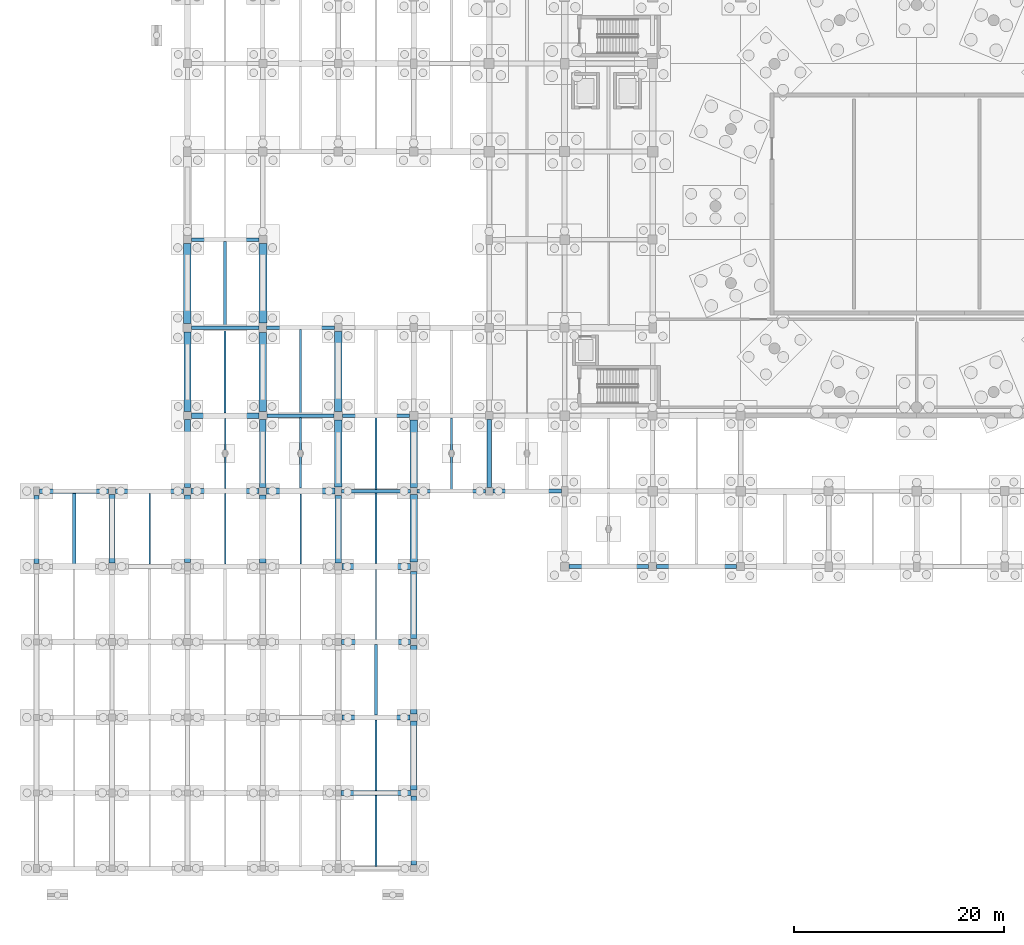
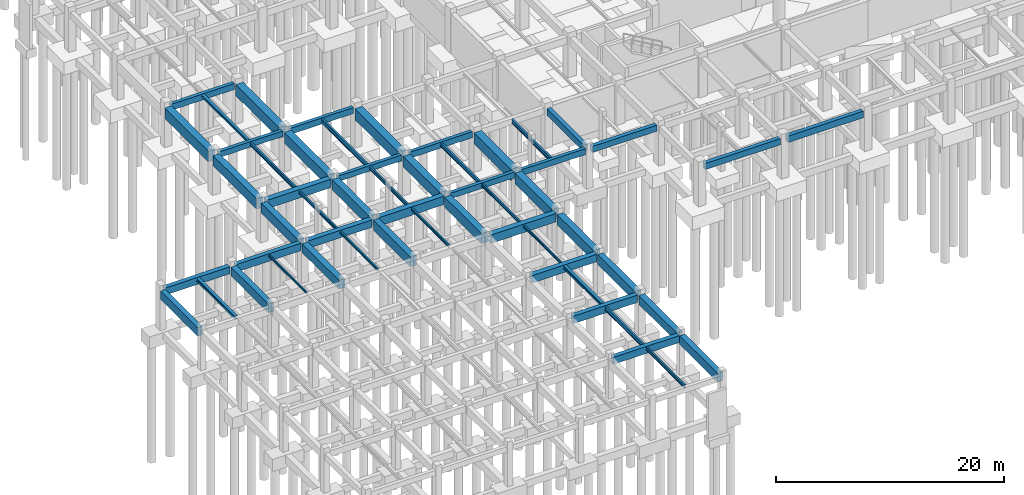
# One storey, part 19 of 44: 55 beams.
"""IFC4 building model written with IfcOpenShell, lengths in metres."""

import ifcopenshell
import ifcopenshell.guid

model = None  # the IFC model being written
_history = None  # IfcOwnerHistory: only IFC2X3 demands one
_inside = {}  # id of a spatial element -> (the spatial element, [elements in it])
_under = {}  # id of a project, library or spatial element -> (it, [spatial elements below it])
_declared = {}  # id of a project -> (the project, [libraries it declares])
_typed = {}  # id of a type object -> (the type object, [elements of that type])
_made_of = {}  # id of a material, layer set ... -> (it, [elements and type objects made of it])


def new_model(schema):
    """Start an empty IFC model of exactly this schema.

    Asked for "IFC4X3", IfcOpenShell would pick the latest addendum, in which some entities
    have other attributes; the version numbers below select the first issue.
    IFC2X3 requires an IfcOwnerHistory on every rooted entity: one is made here for all.
    """
    global model, _history
    if schema == "IFC4X3":
        model = ifcopenshell.file(schema_version=(4, 3, 0, 0))
    else:
        model = ifcopenshell.file(schema=schema)
    _inside.clear()
    _under.clear()
    _declared.clear()
    _typed.clear()
    _made_of.clear()
    _history = None
    if model.schema == "IFC2X3":
        org = make("IfcOrganization", Name="unknown")
        user = make(
            "IfcPersonAndOrganization",
            ThePerson=make("IfcPerson", FamilyName="unknown"),
            TheOrganization=org,
        )
        app = make(
            "IfcApplication",
            ApplicationDeveloper=org,
            Version="unknown",
            ApplicationFullName="unknown",
            ApplicationIdentifier="unknown",
        )
        _history = make(
            "IfcOwnerHistory",
            OwningUser=user,
            OwningApplication=app,
            ChangeAction="ADDED",
            CreationDate=0,
        )
    return model


def make(cls, **values):
    """One entity of the class cls with the attributes given. An attribute that is None is left unset."""
    return model.create_entity(
        cls, **{name: value for name, value in values.items() if value is not None}
    )


def rooted(cls, **values):
    """An entity with a GlobalId (a new one), such as an element, a storey or a relation."""
    return make(cls, GlobalId=ifcopenshell.guid.new(), OwnerHistory=_history, **values)


def si_unit(unit_type, name, prefix=None):
    """IfcSIUnit, for example si_unit("LENGTHUNIT", "METRE", prefix="MILLI")."""
    return make("IfcSIUnit", UnitType=unit_type, Prefix=prefix, Name=name)


def assignment(units):
    """IfcUnitAssignment: the units of a project."""
    return None if units is None else make("IfcUnitAssignment", Units=units)


def point(xyz):
    """IfcCartesianPoint."""
    return None if xyz is None else make("IfcCartesianPoint", Coordinates=xyz)


def direction(xyz):
    """IfcDirection."""
    return None if xyz is None else make("IfcDirection", DirectionRatios=xyz)


def frame(location, z_axis=None, x_axis=None):
    """IfcAxis2Placement3D, a coordinate frame: its origin and axes. An axis left out is left unset."""
    return make(
        "IfcAxis2Placement3D",
        Location=point(location),
        Axis=direction(z_axis),
        RefDirection=direction(x_axis),
    )


def frame_2d(location, x_axis=None):
    """IfcAxis2Placement2D, a coordinate frame in the plane: its origin and x axis."""
    return make(
        "IfcAxis2Placement2D", Location=point(location), RefDirection=direction(x_axis)
    )


def origin():
    """The frame at (0, 0, 0) with its axes left unset."""
    return frame((0.0, 0.0, 0.0))


def origin_2d():
    """The frame at (0, 0) in the plane with its x axis left unset."""
    return frame_2d((0.0, 0.0))


def place(relative_to, where):
    """IfcLocalPlacement: puts the frame where relative to a parent placement (None: the world)."""
    return make(
        "IfcLocalPlacement", PlacementRelTo=relative_to, RelativePlacement=where
    )


def context(
    kind, dimensions, precision=None, world=None, true_north=None, identifier=None
):
    """IfcGeometricRepresentationContext, for example the 3D "Model" context."""
    return make(
        "IfcGeometricRepresentationContext",
        ContextIdentifier=identifier,
        ContextType=kind,
        CoordinateSpaceDimension=dimensions,
        Precision=precision,
        WorldCoordinateSystem=world,
        TrueNorth=true_north,
    )


def subcontext(parent, identifier, kind, view, scale=None):
    """IfcGeometricRepresentationSubContext, for example "Body" below "Model"."""
    return make(
        "IfcGeometricRepresentationSubContext",
        ContextIdentifier=identifier,
        ContextType=kind,
        ParentContext=parent,
        TargetScale=scale,
        TargetView=view,
    )


def project(units=None, contexts=None):
    """IfcProject with its units and contexts."""
    return rooted(
        "IfcProject",
        Name="project",
        RepresentationContexts=contexts,
        UnitsInContext=assignment(units),
    )


def spatial(cls, under=None, at=None, **own):
    """A site, building, storey or space (cls), placed at a placement, below another one or the project."""
    s = rooted(cls, ObjectPlacement=at, **own)
    if under is not None:
        _under.setdefault(under.id(), (under, []))[1].append(s)
    return s


def profile(cls, at=None, kind="AREA", **sizes):
    """A parametric profile (cls). Its sizes go by their IFC names, for example OverallWidth=200.0."""
    return make(cls, ProfileType=kind, Position=at, **sizes)


def rectangle(**sizes):
    """IfcRectangleProfileDef."""
    return profile("IfcRectangleProfileDef", **sizes)


def i_section(**sizes):
    """IfcIShapeProfileDef."""
    return profile("IfcIShapeProfileDef", **sizes)


def extrude(swept, where, along, depth):
    """IfcExtrudedAreaSolid: the profile swept, set in the frame where, extruded along a direction by depth."""
    return make(
        "IfcExtrudedAreaSolid",
        SweptArea=swept,
        Position=where,
        ExtrudedDirection=direction(along),
        Depth=depth,
    )


def shape(context_of_items, identifier, shape_type, items):
    """IfcShapeRepresentation: the items that make up one representation, for example the "Body"."""
    return make(
        "IfcShapeRepresentation",
        ContextOfItems=context_of_items,
        RepresentationIdentifier=identifier,
        RepresentationType=shape_type,
        Items=items,
    )


def material(Name=None, Category=None):
    """IfcMaterial."""
    return make("IfcMaterial", Name=Name, Category=Category)


def material_profile(
    of_material, cross_section, Name=None, Category=None, Priority=None
):
    """IfcMaterialProfile: a cross section and its material."""
    return make(
        "IfcMaterialProfile",
        Name=Name,
        Material=of_material,
        Profile=cross_section,
        Priority=Priority,
        Category=Category,
    )


def profile_set(profiles, Name=None, composite=None):
    """IfcMaterialProfileSet."""
    return make(
        "IfcMaterialProfileSet",
        Name=Name,
        MaterialProfiles=profiles,
        CompositeProfile=composite,
    )


def made_of(thing, what):
    """Note that an element or type object is made of a material, layer set ...; save() writes the relation."""
    if what is not None:
        _made_of.setdefault(what.id(), (what, []))[1].append(thing)
    return thing


def type_object(cls, material=None, **own):
    """A type object (cls), such as IfcWallType, which elements share."""
    return made_of(rooted(cls, **own), material)


def element(
    cls,
    number,
    at=None,
    inside=None,
    cuts=None,
    type_object=None,
    material=None,
    context=None,
    identifier="Body",
    shape_type=None,
    held_by="IfcProductDefinitionShape",
    body=None,
    shapes=None,
    **own,
):
    """One element of the class cls, such as IfcWall. Its Tag is "e" and its number.

    at: its placement. inside: the storey or other place that contains it. cuts: it is an
    opening in that element (IfcRelVoidsElement). A single representation is given by context,
    identifier, shape_type and body (its items); several are given by shapes. held_by: the class
    of the entity that holds the representations. save() writes the other relations.
    """
    e = rooted(cls, Tag="e%d" % number, ObjectPlacement=at, **own)
    if body is not None:
        shapes = [shape(context, identifier, shape_type, body)]
    if shapes is not None:
        e.Representation = make(held_by, Representations=shapes)
    if inside is not None:
        _inside.setdefault(inside.id(), (inside, []))[1].append(e)
    if cuts is not None:
        rooted(
            "IfcRelVoidsElement", RelatingBuildingElement=cuts, RelatedOpeningElement=e
        )
    if type_object is not None:
        _typed.setdefault(type_object.id(), (type_object, []))[1].append(e)
    return made_of(e, material)


def aggregate(whole, parts):
    """IfcRelAggregates: a whole, such as a stair, and the parts it consists of."""
    return rooted("IfcRelAggregates", RelatingObject=whole, RelatedObjects=parts)


def save(model, path):
    """Write the relations noted so far, then the file.

    IfcRelAggregates (storeys below a building ...), IfcRelContainedInSpatialStructure (elements
    in a storey), IfcRelDefinesByType, IfcRelAssociatesMaterial and IfcRelDeclares: one each for
    every whole, place, type object, material and project.
    """
    for whole, parts in _under.values():
        aggregate(whole, parts)
    for where, things in _inside.values():
        rooted(
            "IfcRelContainedInSpatialStructure",
            RelatedElements=things,
            RelatingStructure=where,
        )
    for kind, things in _typed.values():
        rooted("IfcRelDefinesByType", RelatedObjects=things, RelatingType=kind)
    for what, things in _made_of.values():
        rooted("IfcRelAssociatesMaterial", RelatedObjects=things, RelatingMaterial=what)
    for by, libraries in _declared.values():
        rooted("IfcRelDeclares", RelatingContext=by, RelatedDefinitions=libraries)
    model.write(path)


model = new_model("IFC4")

# Units and contexts
model_context = context("Model", 3, precision=1e-05, world=origin(), true_north=direction((0.0, 1.0)))
body_context = subcontext(model_context, "Body", "Model", "MODEL_VIEW")
ifc_project = project(units=[si_unit("LENGTHUNIT", "METRE"), si_unit("AREAUNIT", "SQUARE_METRE"), si_unit("VOLUMEUNIT", "CUBIC_METRE"), si_unit("PLANEANGLEUNIT", "RADIAN"), si_unit("MASSUNIT", "GRAM", prefix="KILO")], contexts=[model_context])

# Site, building, storey
site_placement = place(None, origin())
site = spatial("IfcSite", under=ifc_project, at=site_placement, CompositionType="ELEMENT")
building_placement = place(site_placement, origin())
building = spatial("IfcBuilding", under=site, at=building_placement, Name="Korsvaeld Concert Hall", CompositionType="ELEMENT")
storey_placement = place(building_placement, frame((0.0, 0.0, -4.800048828125)))
storey = spatial("IfcBuildingStorey", under=building, at=storey_placement, Name="B1", CompositionType="ELEMENT", Elevation=-4.800048828125)

# Beams
ifc_material_1 = material(Name="Concrete C35/45", Category="concrete")
ifc_material_profile_1 = material_profile(ifc_material_1, rectangle(XDim=0.35009765625, YDim=0.60009765625, at=origin_2d()), Name="RC 350x600")
ifc_profile_set_1 = profile_set([ifc_material_profile_1], Name="Concrete C35/45")
beam_type_1 = type_object("IfcBeamType", Name="BM-RC-350x600", PredefinedType="T_BEAM", material=ifc_profile_set_1)
beam_1_placement = place(storey_placement, frame((29.10009765625, 36.0, 3.949951171875), z_axis=(1.0, 0.0, 0.0), x_axis=(0.0, 1.0, 0.0)))
element("IfcBeam", 1, at=beam_1_placement, inside=storey, type_object=beam_type_1, Name="Primary girder 5-6/F B1", PredefinedType="T_BEAM", context=body_context, shape_type="SweptSolid", body=[
    extrude(rectangle(XDim=0.35009765625, YDim=0.60009765625, at=origin_2d()), origin(), (0.0, 0.0, 1.0), 6.574951171875),
])
beam_2_placement = place(storey_placement, frame((21.97509765625, 43.199951171875, 3.949951171875), z_axis=(1.0, 0.0, 0.0), x_axis=(0.0, 1.0, 0.0)))
element("IfcBeam", 2, at=beam_2_placement, inside=storey, type_object=beam_type_1, Name="Primary girder 4-5/G B1", PredefinedType="T_BEAM", context=body_context, shape_type="SweptSolid", body=[
    extrude(rectangle(XDim=0.35009765625, YDim=0.60009765625, at=origin_2d()), origin(), (0.0, 0.0, 1.0), 6.4248046875),
])
beam_3_placement = place(storey_placement, frame((14.800048828125, 51.60009765625, 3.949951171875), z_axis=(1.0, 0.0, 0.0), x_axis=(0.0, 1.0, 0.0)))
element("IfcBeam", 3, at=beam_3_placement, inside=storey, type_object=beam_type_1, Name="Primary girder 3-4/H B1", PredefinedType="T_BEAM", context=body_context, shape_type="SweptSolid", body=[
    extrude(rectangle(XDim=0.35009765625, YDim=0.60009765625, at=origin_2d()), origin(), (0.0, 0.0, 1.0), 6.449951171875),
])
ifc_material_profile_2 = material_profile(ifc_material_1, rectangle(XDim=0.35009765625, YDim=0.64990234375, at=origin_2d()), Name="RC 350x650")
ifc_profile_set_2 = profile_set([ifc_material_profile_2], Name="Concrete C35/45")
beam_type_2 = type_object("IfcBeamType", Name="BM-RC-350x650", PredefinedType="T_BEAM", material=ifc_profile_set_2)
beam_4_placement = place(storey_placement, frame((36.324951171875, 36.0, 3.925048828125), z_axis=(1.0, 0.0, 0.0), x_axis=(0.0, 1.0, 0.0)))
element("IfcBeam", 4, at=beam_4_placement, inside=storey, type_object=beam_type_2, Name="Primary girder 6-7/F B1", PredefinedType="T_BEAM", context=body_context, shape_type="SweptSolid", body=[
    extrude(rectangle(XDim=0.35009765625, YDim=0.64990234375, at=origin_2d()), origin(), (0.0, 0.0, 1.0), 6.525146484375),
])
beam_5_placement = place(storey_placement, frame((29.199951171875, 43.199951171875, 3.925048828125), z_axis=(1.0, 0.0, 0.0), x_axis=(0.0, 1.0, 0.0)))
element("IfcBeam", 5, at=beam_5_placement, inside=storey, type_object=beam_type_2, Name="Primary girder 5-6/G B1", PredefinedType="T_BEAM", context=body_context, shape_type="SweptSolid", body=[
    extrude(rectangle(XDim=0.35009765625, YDim=0.64990234375, at=origin_2d()), origin(), (0.0, 0.0, 1.0), 6.400146484375),
])
beam_6_placement = place(storey_placement, frame((21.949951171875, 51.60009765625, 3.925048828125), z_axis=(1.0, 0.0, 0.0), x_axis=(0.0, 1.0, 0.0)))
element("IfcBeam", 6, at=beam_6_placement, inside=storey, type_object=beam_type_2, Name="Primary girder 4-5/H B1", PredefinedType="T_BEAM", context=body_context, shape_type="SweptSolid", body=[
    extrude(rectangle(XDim=0.35009765625, YDim=0.64990234375, at=origin_2d()), origin(), (0.0, 0.0, 1.0), 6.47509765625),
])
beam_7_placement = place(storey_placement, frame((14.77490234375, 60.0, 3.925048828125), z_axis=(1.0, 0.0, 0.0), x_axis=(0.0, 1.0, 0.0)))
element("IfcBeam", 7, at=beam_7_placement, inside=storey, type_object=beam_type_2, Name="Primary girder 3-4/J B1", PredefinedType="T_BEAM", context=body_context, shape_type="SweptSolid", body=[
    extrude(rectangle(XDim=0.35009765625, YDim=0.64990234375, at=origin_2d()), origin(), (0.0, 0.0, 1.0), 6.4501953125),
])
ifc_material_profile_3 = material_profile(ifc_material_1, rectangle(XDim=0.39990234375, YDim=0.64990234375, at=origin_2d()), Name="RC 400x650")
ifc_profile_set_3 = profile_set([ifc_material_profile_3], Name="Concrete C35/45")
beam_type_3 = type_object("IfcBeamType", Name="BM-RC-400x650", PredefinedType="T_BEAM", material=ifc_profile_set_3)
beam_8_placement = place(storey_placement, frame((50.800048828125, 28.800048828125, 3.925048828125), z_axis=(1.0, 0.0, 0.0), x_axis=(0.0, 1.0, 0.0)))
element("IfcBeam", 8, at=beam_8_placement, inside=storey, type_object=beam_type_3, Name="Primary girder 8-9/E B1", PredefinedType="T_BEAM", context=body_context, shape_type="SweptSolid", body=[
    extrude(rectangle(XDim=0.39990234375, YDim=0.64990234375, at=origin_2d()), origin(), (0.0, 0.0, 1.0), 7.625),
])
beam_9_placement = place(storey_placement, frame((43.550048828125, 36.0, 3.925048828125), z_axis=(1.0, 0.0, 0.0), x_axis=(0.0, 1.0, 0.0)))
element("IfcBeam", 9, at=beam_9_placement, inside=storey, type_object=beam_type_3, Name="Primary girder 7-8/F B1", PredefinedType="T_BEAM", context=body_context, shape_type="SweptSolid", body=[
    extrude(rectangle(XDim=0.39990234375, YDim=0.64990234375, at=origin_2d()), origin(), (0.0, 0.0, 1.0), 6.550048828125),
])
ifc_material_profile_4 = material_profile(ifc_material_1, rectangle(XDim=0.39990234375, YDim=0.699951171875, at=origin_2d()), Name="RC 400x700")
ifc_profile_set_4 = profile_set([ifc_material_profile_4], Name="Concrete C35/45")
beam_type_4 = type_object("IfcBeamType", Name="BM-RC-400x700", PredefinedType="T_BEAM", material=ifc_profile_set_4)
beam_10_placement = place(storey_placement, frame((59.175048828125, 28.800048828125, 3.900146484375), z_axis=(1.0, 0.0, 0.0), x_axis=(0.0, 1.0, 0.0)))
element("IfcBeam", 10, at=beam_10_placement, inside=storey, type_object=beam_type_4, Name="Primary girder 9-10/E B1", PredefinedType="T_BEAM", context=body_context, shape_type="SweptSolid", body=[
    extrude(rectangle(XDim=0.39990234375, YDim=0.699951171875, at=origin_2d()), origin(), (0.0, 0.0, 1.0), 7.64990234375),
])
beam_11_placement = place(storey_placement, frame((43.199951171875, 36.35009765625, 3.900146484375), z_axis=(0.0, 1.0, 0.0), x_axis=(-1.0, 0.0, 0.0)))
element("IfcBeam", 11, at=beam_11_placement, inside=storey, type_object=beam_type_4, Name="Primary girder 7/F-G B1", PredefinedType="T_BEAM", context=body_context, shape_type="SweptSolid", body=[
    extrude(rectangle(XDim=0.39990234375, YDim=0.699951171875, at=origin_2d()), origin(), (0.0, 0.0, 1.0), 6.474853515625),
])
ifc_material_profile_5 = material_profile(ifc_material_1, rectangle(XDim=0.449951171875, YDim=0.75, at=origin_2d()), Name="RC 450x750")
ifc_profile_set_5 = profile_set([ifc_material_profile_5], Name="Concrete C35/45")
beam_type_5 = type_object("IfcBeamType", Name="BM-RC-450x750", PredefinedType="T_BEAM", material=ifc_profile_set_5)
beam_12_placement = place(storey_placement, frame((29.074951171875, 7.199951171875, 3.875), z_axis=(1.0, 0.0, 0.0), x_axis=(0.0, 1.0, 0.0)))
element("IfcBeam", 12, at=beam_12_placement, inside=storey, type_object=beam_type_5, Name="Primary girder 5-6/B B1", PredefinedType="T_BEAM", context=body_context, shape_type="SweptSolid", body=[
    extrude(rectangle(XDim=0.449951171875, YDim=0.75, at=origin_2d()), origin(), (0.0, 0.0, 1.0), 6.650146484375),
])
beam_13_placement = place(storey_placement, frame((0.300048828125, 36.0, 3.875), z_axis=(1.0, 0.0, 0.0), x_axis=(0.0, 1.0, 0.0)))
element("IfcBeam", 13, at=beam_13_placement, inside=storey, type_object=beam_type_5, Name="Primary girder 1-2/F B1", PredefinedType="T_BEAM", context=body_context, shape_type="SweptSolid", body=[
    extrude(rectangle(XDim=0.449951171875, YDim=0.75, at=origin_2d()), origin(), (0.0, 0.0, 1.0), 6.574951171875),
])
ifc_material_profile_6 = material_profile(ifc_material_1, rectangle(XDim=0.449951171875, YDim=0.800048828125, at=origin_2d()), Name="RC 450x800")
ifc_profile_set_6 = profile_set([ifc_material_profile_6], Name="Concrete C35/45")
beam_type_6 = type_object("IfcBeamType", Name="BM-RC-450x800", PredefinedType="T_BEAM", material=ifc_profile_set_6)
beam_14_placement = place(storey_placement, frame((29.14990234375, 14.39990234375, 3.85009765625), z_axis=(1.0, 0.0, 0.0), x_axis=(0.0, 1.0, 0.0)))
element("IfcBeam", 14, at=beam_14_placement, inside=storey, type_object=beam_type_6, Name="Primary girder 5-6/C B1", PredefinedType="T_BEAM", context=body_context, shape_type="SweptSolid", body=[
    extrude(rectangle(XDim=0.449951171875, YDim=0.800048828125, at=origin_2d()), origin(), (0.0, 0.0, 1.0), 6.5),
])
beam_15_placement = place(storey_placement, frame((7.52490234375, 36.0, 3.85009765625), z_axis=(1.0, 0.0, 0.0), x_axis=(0.0, 1.0, 0.0)))
element("IfcBeam", 15, at=beam_15_placement, inside=storey, type_object=beam_type_6, Name="Primary girder 2-3/F B1", PredefinedType="T_BEAM", context=body_context, shape_type="SweptSolid", body=[
    extrude(rectangle(XDim=0.449951171875, YDim=0.800048828125, at=origin_2d()), origin(), (0.0, 0.0, 1.0), 6.525146484375),
])
ifc_material_2 = material(Name="Concrete C40/50", Category="concrete")
ifc_material_profile_7 = material_profile(ifc_material_2, rectangle(XDim=0.5, YDim=0.800048828125, at=origin_2d()), Name="RC 500x800")
ifc_profile_set_7 = profile_set([ifc_material_profile_7], Name="Concrete C40/50")
beam_type_7 = type_object("IfcBeamType", Name="BM-RC-500x800", PredefinedType="T_BEAM", material=ifc_profile_set_7)
beam_16_placement = place(storey_placement, frame((29.125, 21.60009765625, 3.85009765625), z_axis=(1.0, 0.0, 0.0), x_axis=(0.0, 1.0, 0.0)))
element("IfcBeam", 16, at=beam_16_placement, inside=storey, type_object=beam_type_7, Name="Primary girder 5-6/D B1", PredefinedType="T_BEAM", context=body_context, shape_type="SweptSolid", body=[
    extrude(rectangle(XDim=0.5, YDim=0.800048828125, at=origin_2d()), origin(), (0.0, 0.0, 1.0), 6.550048828125),
])
beam_17_placement = place(storey_placement, frame((14.75, 36.0, 3.85009765625), z_axis=(1.0, 0.0, 0.0), x_axis=(0.0, 1.0, 0.0)))
element("IfcBeam", 17, at=beam_17_placement, inside=storey, type_object=beam_type_7, Name="Primary girder 3-4/F B1", PredefinedType="T_BEAM", context=body_context, shape_type="SweptSolid", body=[
    extrude(rectangle(XDim=0.5, YDim=0.800048828125, at=origin_2d()), origin(), (0.0, 0.0, 1.0), 6.5),
])
ifc_material_profile_8 = material_profile(ifc_material_2, rectangle(XDim=0.5, YDim=0.89990234375, at=origin_2d()), Name="RC 500x900")
ifc_profile_set_8 = profile_set([ifc_material_profile_8], Name="Concrete C40/50")
beam_type_8 = type_object("IfcBeamType", Name="BM-RC-500x900", PredefinedType="T_BEAM", material=ifc_profile_set_8)
beam_18_placement = place(storey_placement, frame((0.0, 29.074951171875, 3.800048828125), z_axis=(0.0, 1.0, 0.0), x_axis=(-1.0, 0.0, 0.0)))
element("IfcBeam", 18, at=beam_18_placement, inside=storey, type_object=beam_type_8, Name="Primary girder 1/E-F B1", PredefinedType="T_BEAM", context=body_context, shape_type="SweptSolid", body=[
    extrude(rectangle(XDim=0.5, YDim=0.89990234375, at=origin_2d()), origin(), (0.0, 0.0, 1.0), 6.525146484375),
])
ifc_material_profile_9 = material_profile(ifc_material_2, rectangle(XDim=0.550048828125, YDim=0.89990234375, at=origin_2d()), Name="RC 550x900")
ifc_profile_set_9 = profile_set([ifc_material_profile_9], Name="Concrete C40/50")
beam_type_9 = type_object("IfcBeamType", Name="BM-RC-550x900", PredefinedType="T_BEAM", material=ifc_profile_set_9)
for number, where, z_axis, x_axis, name in (
    (19, (29.14990234375, 28.800048828125, 3.800048828125), (1.0, 0.0, 0.0), (0.0, 1.0, 0.0), "Primary girder 5-6/E B1"),
    (20, (21.949951171875, 36.0, 3.800048828125), (1.0, 0.0, 0.0), (0.0, 1.0, 0.0), "Primary girder 4-5/F B1"),
):
    element("IfcBeam", number, at=place(storey_placement, frame(where, z_axis=z_axis, x_axis=x_axis)), inside=storey, type_object=beam_type_9, Name=name, PredefinedType="T_BEAM", context=body_context, shape_type="SweptSolid", body=[
        extrude(rectangle(XDim=0.550048828125, YDim=0.89990234375, at=origin_2d()), origin(), (0.0, 0.0, 1.0), 6.550048828125),
    ])
beam_19_placement = place(storey_placement, frame((14.77490234375, 43.199951171875, 3.800048828125), z_axis=(1.0, 0.0, 0.0), x_axis=(0.0, 1.0, 0.0)))
element("IfcBeam", 21, at=beam_19_placement, inside=storey, type_object=beam_type_9, Name="Primary girder 3-4/G B1", PredefinedType="T_BEAM", context=body_context, shape_type="SweptSolid", body=[
    extrude(rectangle(XDim=0.550048828125, YDim=0.89990234375, at=origin_2d()), origin(), (0.0, 0.0, 1.0), 6.4501953125),
])
ifc_material_profile_10 = material_profile(ifc_material_2, rectangle(XDim=0.550048828125, YDim=0.949951171875, at=origin_2d()), Name="RC 550x950")
ifc_profile_set_10 = profile_set([ifc_material_profile_10], Name="Concrete C40/50")
beam_type_10 = type_object("IfcBeamType", Name="BM-RC-550x950", PredefinedType="T_BEAM", material=ifc_profile_set_10)
beam_20_placement = place(storey_placement, frame((7.199951171875, 29.14990234375, 3.775146484375), z_axis=(0.0, 1.0, 0.0), x_axis=(-1.0, 0.0, 0.0)))
element("IfcBeam", 22, at=beam_20_placement, inside=storey, type_object=beam_type_10, Name="Primary girder 2/E-F B1", PredefinedType="T_BEAM", context=body_context, shape_type="SweptSolid", body=[
    extrude(rectangle(XDim=0.550048828125, YDim=0.949951171875, at=origin_2d()), origin(), (0.0, 0.0, 1.0), 6.525146484375),
])
beam_21_placement = place(storey_placement, frame((36.0, 0.300048828125, 3.775146484375), z_axis=(0.0, 1.0, 0.0), x_axis=(-1.0, 0.0, 0.0)))
element("IfcBeam", 23, at=beam_21_placement, inside=storey, type_object=beam_type_10, Name="Primary girder 6/A-B B1", PredefinedType="T_BEAM", context=body_context, shape_type="SweptSolid", body=[
    extrude(rectangle(XDim=0.550048828125, YDim=0.949951171875, at=origin_2d()), origin(), (0.0, 0.0, 1.0), 6.625),
])
ifc_material_profile_11 = material_profile(ifc_material_2, rectangle(XDim=0.60009765625, YDim=1.050048828125, at=origin_2d()), Name="RC 600x1050")
ifc_profile_set_11 = profile_set([ifc_material_profile_11], Name="Concrete C40/50")
beam_type_11 = type_object("IfcBeamType", Name="BM-RC-600x1050", PredefinedType="T_BEAM", material=ifc_profile_set_11)
beam_22_placement = place(storey_placement, frame((14.39990234375, 36.35009765625, 3.72509765625), z_axis=(0.0, 1.0, 0.0), x_axis=(-1.0, 0.0, 0.0)))
element("IfcBeam", 24, at=beam_22_placement, inside=storey, type_object=beam_type_11, Name="Primary girder 3/F-G B1", PredefinedType="T_BEAM", context=body_context, shape_type="SweptSolid", body=[
    extrude(rectangle(XDim=0.60009765625, YDim=1.050048828125, at=origin_2d()), origin(), (0.0, 0.0, 1.0), 6.474853515625),
])
for number, where, z_axis, x_axis, name in (
    (25, (21.60009765625, 29.125, 3.72509765625), (0.0, 1.0, 0.0), (-1.0, 0.0, 0.0), "Primary girder 4/E-F B1"),
    (26, (36.0, 14.75, 3.72509765625), (0.0, 1.0, 0.0), (-1.0, 0.0, 0.0), "Primary girder 6/C-D B1"),
):
    element("IfcBeam", number, at=place(storey_placement, frame(where, z_axis=z_axis, x_axis=x_axis)), inside=storey, type_object=beam_type_11, Name=name, PredefinedType="T_BEAM", context=body_context, shape_type="SweptSolid", body=[
        extrude(rectangle(XDim=0.60009765625, YDim=1.050048828125, at=origin_2d()), origin(), (0.0, 0.0, 1.0), 6.52490234375),
    ])
ifc_material_profile_12 = material_profile(ifc_material_2, rectangle(XDim=0.60009765625, YDim=0.949951171875, at=origin_2d()), Name="RC 600x950")
ifc_profile_set_12 = profile_set([ifc_material_profile_12], Name="Concrete C40/50")
beam_type_12 = type_object("IfcBeamType", Name="BM-RC-600x950", PredefinedType="T_BEAM", material=ifc_profile_set_12)
beam_23_placement = place(storey_placement, frame((14.39990234375, 29.199951171875, 3.775146484375), z_axis=(0.0, 1.0, 0.0), x_axis=(-1.0, 0.0, 0.0)))
element("IfcBeam", 27, at=beam_23_placement, inside=storey, type_object=beam_type_12, Name="Primary girder 3/E-F B1", PredefinedType="T_BEAM", context=body_context, shape_type="SweptSolid", body=[
    extrude(rectangle(XDim=0.60009765625, YDim=0.949951171875, at=origin_2d()), origin(), (0.0, 0.0, 1.0), 6.449951171875),
])
beam_24_placement = place(storey_placement, frame((36.0, 7.47509765625, 3.775146484375), z_axis=(0.0, 1.0, 0.0), x_axis=(-1.0, 0.0, 0.0)))
element("IfcBeam", 28, at=beam_24_placement, inside=storey, type_object=beam_type_12, Name="Primary girder 6/B-C B1", PredefinedType="T_BEAM", context=body_context, shape_type="SweptSolid", body=[
    extrude(rectangle(XDim=0.60009765625, YDim=0.949951171875, at=origin_2d()), origin(), (0.0, 0.0, 1.0), 6.574951171875),
])
ifc_material_profile_13 = material_profile(ifc_material_2, rectangle(XDim=0.64990234375, YDim=1.10009765625, at=origin_2d()), Name="RC 650x1100")
ifc_profile_set_13 = profile_set([ifc_material_profile_13], Name="Concrete C40/50")
beam_type_13 = type_object("IfcBeamType", Name="BM-RC-650x1100", PredefinedType="T_BEAM", material=ifc_profile_set_13)
beam_25_placement = place(storey_placement, frame((14.39990234375, 43.574951171875, 3.699951171875), z_axis=(0.0, 1.0, 0.0), x_axis=(-1.0, 0.0, 0.0)))
element("IfcBeam", 29, at=beam_25_placement, inside=storey, type_object=beam_type_13, Name="Primary girder 3/G-H B1", PredefinedType="T_BEAM", context=body_context, shape_type="SweptSolid", body=[
    extrude(rectangle(XDim=0.64990234375, YDim=1.10009765625, at=origin_2d()), origin(), (0.0, 0.0, 1.0), 7.625),
])
beam_26_placement = place(storey_placement, frame((21.60009765625, 36.35009765625, 3.699951171875), z_axis=(0.0, 1.0, 0.0), x_axis=(-1.0, 0.0, 0.0)))
element("IfcBeam", 30, at=beam_26_placement, inside=storey, type_object=beam_type_13, Name="Primary girder 4/F-G B1", PredefinedType="T_BEAM", context=body_context, shape_type="SweptSolid", body=[
    extrude(rectangle(XDim=0.64990234375, YDim=1.10009765625, at=origin_2d()), origin(), (0.0, 0.0, 1.0), 6.474853515625),
])
beam_27_placement = place(storey_placement, frame((28.800048828125, 29.14990234375, 3.699951171875), z_axis=(0.0, 1.0, 0.0), x_axis=(-1.0, 0.0, 0.0)))
element("IfcBeam", 31, at=beam_27_placement, inside=storey, type_object=beam_type_13, Name="Primary girder 5/E-F B1", PredefinedType="T_BEAM", context=body_context, shape_type="SweptSolid", body=[
    extrude(rectangle(XDim=0.64990234375, YDim=1.10009765625, at=origin_2d()), origin(), (0.0, 0.0, 1.0), 6.4501953125),
])
beam_28_placement = place(storey_placement, frame((36.0, 21.925048828125, 3.699951171875), z_axis=(0.0, 1.0, 0.0), x_axis=(-1.0, 0.0, 0.0)))
element("IfcBeam", 32, at=beam_28_placement, inside=storey, type_object=beam_type_13, Name="Primary girder 6/D-E B1", PredefinedType="T_BEAM", context=body_context, shape_type="SweptSolid", body=[
    extrude(rectangle(XDim=0.64990234375, YDim=1.10009765625, at=origin_2d()), origin(), (0.0, 0.0, 1.0), 6.425048828125),
])
ifc_material_profile_14 = material_profile(ifc_material_2, rectangle(XDim=0.699951171875, YDim=1.14990234375, at=origin_2d()), Name="RC 700x1150")
ifc_profile_set_14 = profile_set([ifc_material_profile_14], Name="Concrete C40/50")
beam_type_14 = type_object("IfcBeamType", Name="BM-RC-700x1150", PredefinedType="T_BEAM", material=ifc_profile_set_14)
beam_29_placement = place(storey_placement, frame((14.39990234375, 52.0, 3.675048828125), z_axis=(0.0, 1.0, 0.0), x_axis=(-1.0, 0.0, 0.0)))
element("IfcBeam", 33, at=beam_29_placement, inside=storey, type_object=beam_type_14, Name="Primary girder 3/H-J B1", PredefinedType="T_BEAM", context=body_context, shape_type="SweptSolid", body=[
    extrude(rectangle(XDim=0.699951171875, YDim=1.14990234375, at=origin_2d()), origin(), (0.0, 0.0, 1.0), 7.625),
])
beam_30_placement = place(storey_placement, frame((21.60009765625, 43.574951171875, 3.675048828125), z_axis=(0.0, 1.0, 0.0), x_axis=(-1.0, 0.0, 0.0)))
element("IfcBeam", 34, at=beam_30_placement, inside=storey, type_object=beam_type_14, Name="Primary girder 4/G-H B1", PredefinedType="T_BEAM", context=body_context, shape_type="SweptSolid", body=[
    extrude(rectangle(XDim=0.699951171875, YDim=1.14990234375, at=origin_2d()), origin(), (0.0, 0.0, 1.0), 7.574951171875),
])
beam_31_placement = place(storey_placement, frame((28.800048828125, 36.39990234375, 3.675048828125), z_axis=(0.0, 1.0, 0.0), x_axis=(-1.0, 0.0, 0.0)))
element("IfcBeam", 35, at=beam_31_placement, inside=storey, type_object=beam_type_14, Name="Primary girder 5/F-G B1", PredefinedType="T_BEAM", context=body_context, shape_type="SweptSolid", body=[
    extrude(rectangle(XDim=0.699951171875, YDim=1.14990234375, at=origin_2d()), origin(), (0.0, 0.0, 1.0), 6.400146484375),
])
beam_32_placement = place(storey_placement, frame((36.0, 29.25, 3.675048828125), z_axis=(0.0, 1.0, 0.0), x_axis=(-1.0, 0.0, 0.0)))
element("IfcBeam", 36, at=beam_32_placement, inside=storey, type_object=beam_type_14, Name="Primary girder 6/E-F B1", PredefinedType="T_BEAM", context=body_context, shape_type="SweptSolid", body=[
    extrude(rectangle(XDim=0.699951171875, YDim=1.14990234375, at=origin_2d()), origin(), (0.0, 0.0, 1.0), 6.425048828125),
])
ifc_material_profile_15 = material_profile(ifc_material_2, rectangle(XDim=0.75, YDim=1.199951171875, at=origin_2d()), Name="RC 750x1200")
ifc_profile_set_15 = profile_set([ifc_material_profile_15], Name="Concrete C40/50")
beam_type_15 = type_object("IfcBeamType", Name="BM-RC-750x1200", PredefinedType="T_BEAM", material=ifc_profile_set_15)
beam_33_placement = place(storey_placement, frame((21.60009765625, 52.050048828125, 3.650146484375), z_axis=(0.0, 1.0, 0.0), x_axis=(-1.0, 0.0, 0.0)))
element("IfcBeam", 37, at=beam_33_placement, inside=storey, type_object=beam_type_15, Name="Primary girder 4/H-J B1", PredefinedType="T_BEAM", context=body_context, shape_type="SweptSolid", body=[
    extrude(rectangle(XDim=0.75, YDim=1.199951171875, at=origin_2d()), origin(), (0.0, 0.0, 1.0), 7.574951171875),
])
beam_34_placement = place(storey_placement, frame((28.800048828125, 43.60009765625, 3.650146484375), z_axis=(0.0, 1.0, 0.0), x_axis=(-1.0, 0.0, 0.0)))
element("IfcBeam", 38, at=beam_34_placement, inside=storey, type_object=beam_type_15, Name="Primary girder 5/G-H B1", PredefinedType="T_BEAM", context=body_context, shape_type="SweptSolid", body=[
    extrude(rectangle(XDim=0.75, YDim=1.199951171875, at=origin_2d()), origin(), (0.0, 0.0, 1.0), 7.625),
])
beam_35_placement = place(storey_placement, frame((36.0, 36.324951171875, 3.650146484375), z_axis=(0.0, 1.0, 0.0), x_axis=(-1.0, 0.0, 0.0)))
element("IfcBeam", 39, at=beam_35_placement, inside=storey, type_object=beam_type_15, Name="Primary girder 6/F-G B1", PredefinedType="T_BEAM", context=body_context, shape_type="SweptSolid", body=[
    extrude(rectangle(XDim=0.75, YDim=1.199951171875, at=origin_2d()), origin(), (0.0, 0.0, 1.0), 6.47509765625),
])
ifc_material_3 = material(Name="Steel S355J2", Category="steel")
ifc_material_profile_16 = material_profile(ifc_material_3, i_section(OverallWidth=0.280029296875, OverallDepth=0.27001953125, WebThickness=0.008056640625, FlangeThickness=0.012939453125, FilletRadius=0.02392578125, at=origin_2d()), Name="HEA 280")
ifc_profile_set_16 = profile_set([ifc_material_profile_16], Name="Steel S355J2")
beam_type_16 = type_object("IfcBeamType", Name="BM-STL-HEA280", PredefinedType="BEAM", material=ifc_profile_set_16)
beam_36_placement = place(storey_placement, frame((18.0, 51.77490234375, 4.114990234375), z_axis=(0.0, 1.0, 0.0), x_axis=(-1.0, 0.0, 0.0)))
element("IfcBeam", 40, at=beam_36_placement, inside=storey, type_object=beam_type_16, Name="Secondary steel floor beam 3-4/H B1", PredefinedType="BEAM", context=body_context, shape_type="SweptSolid", body=[
    extrude(i_section(OverallWidth=0.280029296875, OverallDepth=0.27001953125, WebThickness=0.008056640625, FlangeThickness=0.012939453125, FilletRadius=0.02392578125, at=origin_2d()), origin(), (0.0, 0.0, 1.0), 8.050048828125),
])
ifc_material_profile_17 = material_profile(ifc_material_3, i_section(OverallWidth=0.300048828125, OverallDepth=0.35009765625, WebThickness=0.010009765625, FlangeThickness=0.017578125, FilletRadius=0.027099609375, at=origin_2d()), Name="HEA 360")
ifc_profile_set_17 = profile_set([ifc_material_profile_17], Name="Steel S355J2")
beam_type_17 = type_object("IfcBeamType", Name="BM-STL-HEA360", PredefinedType="BEAM", material=ifc_profile_set_17)
beam_37_placement = place(storey_placement, frame((3.60009765625, 29.0, 4.074951171875), z_axis=(0.0, 1.0, 0.0), x_axis=(-1.0, 0.0, 0.0)))
element("IfcBeam", 41, at=beam_37_placement, inside=storey, type_object=beam_type_17, Name="Secondary steel floor beam 1-2/E B1", PredefinedType="BEAM", context=body_context, shape_type="SweptSolid", body=[
    extrude(i_section(OverallWidth=0.300048828125, OverallDepth=0.35009765625, WebThickness=0.010009765625, FlangeThickness=0.017578125, FilletRadius=0.027099609375, at=origin_2d()), origin(), (0.0, 0.0, 1.0), 6.77490234375),
])
beam_38_placement = place(storey_placement, frame((32.39990234375, 14.625, 4.074951171875), z_axis=(0.0, 1.0, 0.0), x_axis=(-1.0, 0.0, 0.0)))
element("IfcBeam", 42, at=beam_38_placement, inside=storey, type_object=beam_type_17, Name="Secondary steel floor beam 5-6/C B1", PredefinedType="BEAM", context=body_context, shape_type="SweptSolid", body=[
    extrude(i_section(OverallWidth=0.300048828125, OverallDepth=0.35009765625, WebThickness=0.010009765625, FlangeThickness=0.017578125, FilletRadius=0.027099609375, at=origin_2d()), origin(), (0.0, 0.0, 1.0), 6.72509765625),
])
ifc_material_profile_18 = material_profile(ifc_material_3, i_section(OverallWidth=0.1201171875, OverallDepth=0.239990234375, WebThickness=0.006103515625, FlangeThickness=0.009765625, FilletRadius=0.014892578125, at=origin_2d()), Name="IPE 240")
ifc_profile_set_18 = profile_set([ifc_material_profile_18], Name="Steel S355J2")
beam_type_18 = type_object("IfcBeamType", Name="BM-STL-IPE240", PredefinedType="JOIST", material=ifc_profile_set_18)
beam_39_placement = place(storey_placement, frame((10.800048828125, 29.02490234375, 4.130126953125), z_axis=(0.0, 1.0, 0.0), x_axis=(-1.0, 0.0, 0.0)))
element("IfcBeam", 43, at=beam_39_placement, inside=storey, type_object=beam_type_18, Name="Secondary steel floor beam 2-3/E B1", PredefinedType="JOIST", context=body_context, shape_type="SweptSolid", body=[
    extrude(i_section(OverallWidth=0.1201171875, OverallDepth=0.239990234375, WebThickness=0.006103515625, FlangeThickness=0.009765625, FilletRadius=0.014892578125, at=origin_2d()), origin(), (0.0, 0.0, 1.0), 6.75),
])
ifc_material_profile_19 = material_profile(ifc_material_3, i_section(OverallWidth=0.135009765625, OverallDepth=0.27001953125, WebThickness=0.006591796875, FlangeThickness=0.01025390625, FilletRadius=0.014892578125, at=origin_2d()), Name="IPE 270")
ifc_profile_set_19 = profile_set([ifc_material_profile_19], Name="Steel S355J2")
beam_type_19 = type_object("IfcBeamType", Name="BM-STL-IPE270", PredefinedType="JOIST", material=ifc_profile_set_19)
beam_40_placement = place(storey_placement, frame((18.0, 29.02490234375, 4.114990234375), z_axis=(0.0, 1.0, 0.0), x_axis=(-1.0, 0.0, 0.0)))
element("IfcBeam", 44, at=beam_40_placement, inside=storey, type_object=beam_type_19, Name="Secondary steel floor beam 3-4/E B1", PredefinedType="JOIST", context=body_context, shape_type="SweptSolid", body=[
    extrude(i_section(OverallWidth=0.135009765625, OverallDepth=0.27001953125, WebThickness=0.006591796875, FlangeThickness=0.01025390625, FilletRadius=0.014892578125, at=origin_2d()), origin(), (0.0, 0.0, 1.0), 6.72509765625),
])
beam_41_placement = place(storey_placement, frame((32.39990234375, 21.85009765625, 4.114990234375), z_axis=(0.0, 1.0, 0.0), x_axis=(-1.0, 0.0, 0.0)))
element("IfcBeam", 45, at=beam_41_placement, inside=storey, type_object=beam_type_19, Name="Secondary steel floor beam 5-6/D B1", PredefinedType="JOIST", context=body_context, shape_type="SweptSolid", body=[
    extrude(i_section(OverallWidth=0.135009765625, OverallDepth=0.27001953125, WebThickness=0.006591796875, FlangeThickness=0.01025390625, FilletRadius=0.014892578125, at=origin_2d()), origin(), (0.0, 0.0, 1.0), 6.6748046875),
])
ifc_material_profile_20 = material_profile(ifc_material_3, i_section(OverallWidth=0.14990234375, OverallDepth=0.300048828125, WebThickness=0.007080078125, FlangeThickness=0.0107421875, FilletRadius=0.014892578125, at=origin_2d()), Name="IPE 300")
ifc_profile_set_20 = profile_set([ifc_material_profile_20], Name="Steel S355J2")
beam_type_20 = type_object("IfcBeamType", Name="BM-STL-IPE300", PredefinedType="JOIST", material=ifc_profile_set_20)
beam_42_placement = place(storey_placement, frame((25.199951171875, 29.050048828125, 4.10009765625), z_axis=(0.0, 1.0, 0.0), x_axis=(-1.0, 0.0, 0.0)))
element("IfcBeam", 46, at=beam_42_placement, inside=storey, type_object=beam_type_20, Name="Secondary steel floor beam 4-5/E B1", PredefinedType="JOIST", context=body_context, shape_type="SweptSolid", body=[
    extrude(i_section(OverallWidth=0.14990234375, OverallDepth=0.300048828125, WebThickness=0.007080078125, FlangeThickness=0.0107421875, FilletRadius=0.014892578125, at=origin_2d()), origin(), (0.0, 0.0, 1.0), 6.675048828125),
])
ifc_material_profile_21 = material_profile(ifc_material_3, i_section(OverallWidth=0.159912109375, OverallDepth=0.330078125, WebThickness=0.007568359375, FlangeThickness=0.011474609375, FilletRadius=0.01806640625, at=origin_2d()), Name="IPE 330")
ifc_profile_set_21 = profile_set([ifc_material_profile_21], Name="Steel S355J2")
beam_type_21 = type_object("IfcBeamType", Name="BM-STL-IPE330", PredefinedType="BEAM", material=ifc_profile_set_21)
beam_43_placement = place(storey_placement, frame((18.0, 36.25, 4.0849609375), z_axis=(0.0, 1.0, 0.0), x_axis=(-1.0, 0.0, 0.0)))
element("IfcBeam", 47, at=beam_43_placement, inside=storey, type_object=beam_type_21, Name="Secondary steel floor beam 3-4/F B1", PredefinedType="BEAM", context=body_context, shape_type="SweptSolid", body=[
    extrude(i_section(OverallWidth=0.159912109375, OverallDepth=0.330078125, WebThickness=0.007568359375, FlangeThickness=0.011474609375, FilletRadius=0.01806640625, at=origin_2d()), origin(), (0.0, 0.0, 1.0), 6.675048828125),
])
beam_44_placement = place(storey_placement, frame((32.39990234375, 29.074951171875, 4.0849609375), z_axis=(0.0, 1.0, 0.0), x_axis=(-1.0, 0.0, 0.0)))
element("IfcBeam", 48, at=beam_44_placement, inside=storey, type_object=beam_type_21, Name="Secondary steel floor beam 5-6/E B1", PredefinedType="BEAM", context=body_context, shape_type="SweptSolid", body=[
    extrude(i_section(OverallWidth=0.159912109375, OverallDepth=0.330078125, WebThickness=0.007568359375, FlangeThickness=0.011474609375, FilletRadius=0.01806640625, at=origin_2d()), origin(), (0.0, 0.0, 1.0), 6.75),
])
ifc_material_profile_22 = material_profile(ifc_material_3, i_section(OverallWidth=0.169921875, OverallDepth=0.360107421875, WebThickness=0.008056640625, FlangeThickness=0.0126953125, FilletRadius=0.01806640625, at=origin_2d()), Name="IPE 360")
ifc_profile_set_22 = profile_set([ifc_material_profile_22], Name="Steel S355J2")
beam_type_22 = type_object("IfcBeamType", Name="BM-STL-IPE360", PredefinedType="BEAM", material=ifc_profile_set_22)
beam_45_placement = place(storey_placement, frame((25.199951171875, 36.27490234375, 4.070068359375), z_axis=(0.0, 1.0, 0.0), x_axis=(-1.0, 0.0, 0.0)))
element("IfcBeam", 49, at=beam_45_placement, inside=storey, type_object=beam_type_22, Name="Secondary steel floor beam 4-5/F B1", PredefinedType="BEAM", context=body_context, shape_type="SweptSolid", body=[
    extrude(i_section(OverallWidth=0.169921875, OverallDepth=0.360107421875, WebThickness=0.008056640625, FlangeThickness=0.0126953125, FilletRadius=0.01806640625, at=origin_2d()), origin(), (0.0, 0.0, 1.0), 6.75),
])
beam_46_placement = place(storey_placement, frame((32.39990234375, 0.175048828125, 4.070068359375), z_axis=(0.0, 1.0, 0.0), x_axis=(-1.0, 0.0, 0.0)))
element("IfcBeam", 50, at=beam_46_placement, inside=storey, type_object=beam_type_22, Name="Secondary steel floor beam 5-6/A B1", PredefinedType="BEAM", context=body_context, shape_type="SweptSolid", body=[
    extrude(i_section(OverallWidth=0.169921875, OverallDepth=0.360107421875, WebThickness=0.008056640625, FlangeThickness=0.0126953125, FilletRadius=0.01806640625, at=origin_2d()), origin(), (0.0, 0.0, 1.0), 6.800048828125),
])
ifc_material_profile_23 = material_profile(ifc_material_3, i_section(OverallWidth=0.179931640625, OverallDepth=0.39990234375, WebThickness=0.008544921875, FlangeThickness=0.013427734375, FilletRadius=0.02099609375, at=origin_2d()), Name="IPE 400")
ifc_profile_set_23 = profile_set([ifc_material_profile_23], Name="Steel S355J2")
beam_type_23 = type_object("IfcBeamType", Name="BM-STL-IPE400", PredefinedType="BEAM", material=ifc_profile_set_23)
beam_47_placement = place(storey_placement, frame((18.0, 43.47509765625, 4.050048828125), z_axis=(0.0, 1.0, 0.0), x_axis=(-1.0, 0.0, 0.0)))
element("IfcBeam", 51, at=beam_47_placement, inside=storey, type_object=beam_type_23, Name="Secondary steel floor beam 3-4/G B1", PredefinedType="BEAM", context=body_context, shape_type="SweptSolid", body=[
    extrude(i_section(OverallWidth=0.179931640625, OverallDepth=0.39990234375, WebThickness=0.008544921875, FlangeThickness=0.013427734375, FilletRadius=0.02099609375, at=origin_2d()), origin(), (0.0, 0.0, 1.0), 7.949951171875),
])
beam_48_placement = place(storey_placement, frame((32.39990234375, 36.175048828125, 4.050048828125), z_axis=(0.0, 1.0, 0.0), x_axis=(-1.0, 0.0, 0.0)))
element("IfcBeam", 52, at=beam_48_placement, inside=storey, type_object=beam_type_23, Name="Secondary steel floor beam 5-6/F B1", PredefinedType="BEAM", context=body_context, shape_type="SweptSolid", body=[
    extrude(i_section(OverallWidth=0.179931640625, OverallDepth=0.39990234375, WebThickness=0.008544921875, FlangeThickness=0.013427734375, FilletRadius=0.02099609375, at=origin_2d()), origin(), (0.0, 0.0, 1.0), 6.849853515625),
])
ifc_material_profile_24 = material_profile(ifc_material_3, i_section(OverallWidth=0.18994140625, OverallDepth=0.449951171875, WebThickness=0.009521484375, FlangeThickness=0.0146484375, FilletRadius=0.02099609375, at=origin_2d()), Name="IPE 450")
ifc_profile_set_24 = profile_set([ifc_material_profile_24], Name="Steel S355J2")
beam_type_24 = type_object("IfcBeamType", Name="BM-STL-IPE450", PredefinedType="BEAM", material=ifc_profile_set_24)
beam_49_placement = place(storey_placement, frame((25.199951171875, 43.375, 4.025146484375), z_axis=(0.0, 1.0, 0.0), x_axis=(-1.0, 0.0, 0.0)))
element("IfcBeam", 53, at=beam_49_placement, inside=storey, type_object=beam_type_24, Name="Secondary steel floor beam 4-5/G B1", PredefinedType="BEAM", context=body_context, shape_type="SweptSolid", body=[
    extrude(i_section(OverallWidth=0.18994140625, OverallDepth=0.449951171875, WebThickness=0.009521484375, FlangeThickness=0.0146484375, FilletRadius=0.02099609375, at=origin_2d()), origin(), (0.0, 0.0, 1.0), 8.050048828125),
])
beam_50_placement = place(storey_placement, frame((32.39990234375, 7.425048828125, 4.025146484375), z_axis=(0.0, 1.0, 0.0), x_axis=(-1.0, 0.0, 0.0)))
element("IfcBeam", 54, at=beam_50_placement, inside=storey, type_object=beam_type_24, Name="Secondary steel floor beam 5-6/B B1", PredefinedType="BEAM", context=body_context, shape_type="SweptSolid", body=[
    extrude(i_section(OverallWidth=0.18994140625, OverallDepth=0.449951171875, WebThickness=0.009521484375, FlangeThickness=0.0146484375, FilletRadius=0.02099609375, at=origin_2d()), origin(), (0.0, 0.0, 1.0), 6.75),
])
beam_51_placement = place(storey_placement, frame((39.60009765625, 36.175048828125, 4.025146484375), z_axis=(0.0, 1.0, 0.0), x_axis=(-1.0, 0.0, 0.0)))
element("IfcBeam", 55, at=beam_51_placement, inside=storey, type_object=beam_type_24, Name="Secondary steel floor beam 6-7/F B1", PredefinedType="BEAM", context=body_context, shape_type="SweptSolid", body=[
    extrude(i_section(OverallWidth=0.18994140625, OverallDepth=0.449951171875, WebThickness=0.009521484375, FlangeThickness=0.0146484375, FilletRadius=0.02099609375, at=origin_2d()), origin(), (0.0, 0.0, 1.0), 6.824951171875),
])

save(model, "model.ifc")
